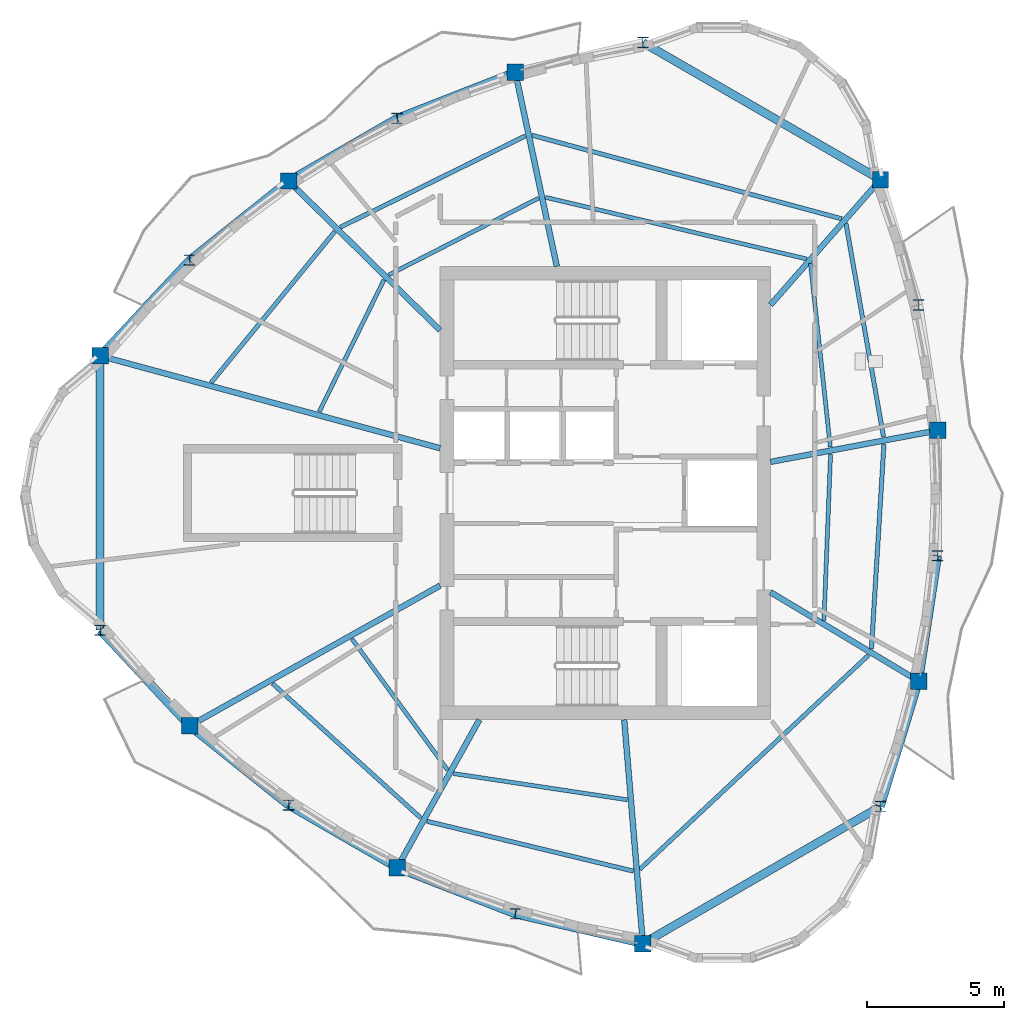
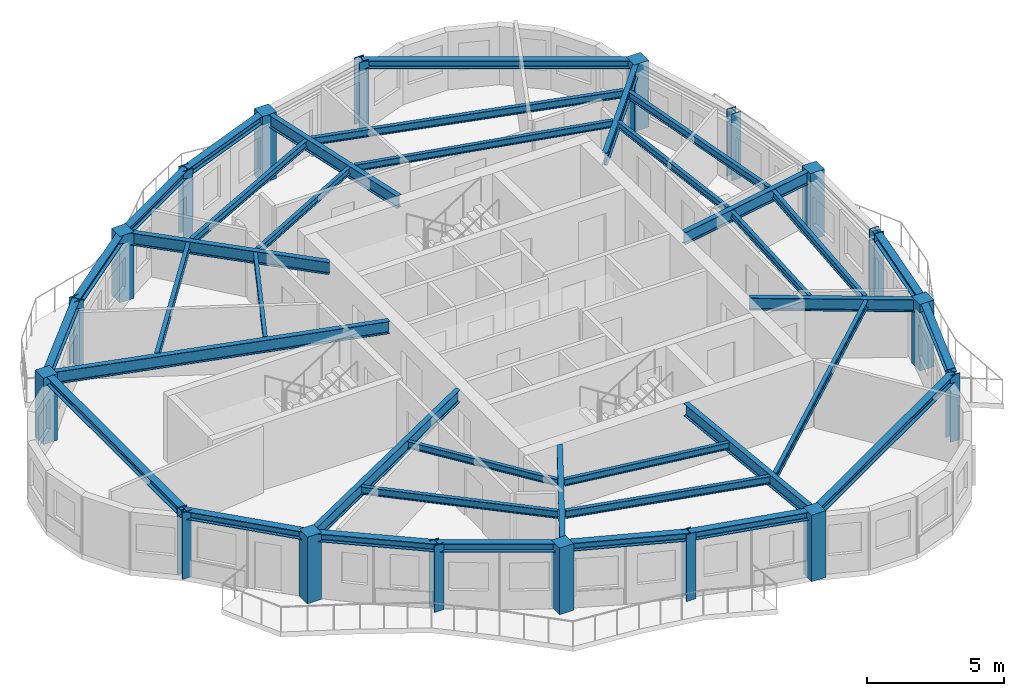
# One storey, part 1 of 11: 38 beams, 18 columns.
"""IFC4 building model written with IfcOpenShell, lengths in metres."""

from ifc_helpers import new_model, si_unit, direction, frame, origin, origin_2d, place, context, subcontext, project, spatial, rectangle, i_section, extrude, source, transform, mapped, material, material_profile, profile_set, type_object, element, save


model = new_model("IFC4")

# Units and contexts
model_context = context("Model", 3, precision=1e-05, world=origin(), true_north=direction((0.0, 1.0)))
body_context = subcontext(model_context, "Body", "Model", "MODEL_VIEW")
ifc_project = project(units=[si_unit("LENGTHUNIT", "METRE"), si_unit("AREAUNIT", "SQUARE_METRE"), si_unit("VOLUMEUNIT", "CUBIC_METRE"), si_unit("PLANEANGLEUNIT", "RADIAN"), si_unit("MASSUNIT", "GRAM", prefix="KILO")], contexts=[model_context])

# Site, building, storey
site_placement = place(None, origin())
site = spatial("IfcSite", under=ifc_project, at=site_placement, CompositionType="ELEMENT")
building_placement = place(site_placement, origin())
building = spatial("IfcBuilding", under=site, at=building_placement, Name="Qafzar Sky-Pleat Residences", CompositionType="ELEMENT")
storey_placement = place(building_placement, frame((0.0, 0.0, 218.0)))
storey = spatial("IfcBuildingStorey", under=building, at=storey_placement, Name="L65", CompositionType="ELEMENT", Elevation=218.0)

# Columns
ifc_material_1 = material(Name="Concrete C50/60", Category="concrete")
ifc_material_profile_1 = material_profile(ifc_material_1, rectangle(XDim=0.60009765625, YDim=0.60009765625, at=origin_2d()), Name="RC 600x600")
ifc_profile_set_1 = profile_set([ifc_material_profile_1], Name="Concrete C50/60")
column_type_1 = type_object("IfcColumnType", Name="COL-RC-600", PredefinedType="COLUMN", material=ifc_profile_set_1)
shared_shape_1 = source(origin(), body_context, "Body", "SweptSolid", [
    extrude(rectangle(XDim=0.60009765625, YDim=0.60009765625, at=origin_2d()), origin(), (0.0, 0.0, 1.0), 2.9599609375),
])
for number, where, z_axis, x_axis, name in (
    (1, (11.85009765625, 31.02294921875, 0.0), (0.0, 0.0, 1.0), (1.0, 0.0, 0.0), "L65 Perimeter Mega Column 1"),
    (2, (15.127197265625, 17.4736328125, 0.0), (0.0, 0.0, 1.0), (1.0, 0.0, 0.0), "L65 Perimeter Mega Column 3"),
    (3, (22.728515625, 12.279541015625, 0.0), (0.0, 0.0, 1.0), (1.0, 0.0, 0.0), "L65 Perimeter Mega Column 5"),
    (4, (31.72509765625, 9.502197265625, 0.0), (0.0, 0.0, 1.0), (1.0, 0.0, 0.0), "L65 Perimeter Mega Column 7"),
    (5, (41.8203125, 19.114990234375, 0.0), (0.0, 0.0, 1.0), (1.0, 0.0, 0.0), "L65 Perimeter Mega Column 9"),
    (6, (42.51806640625, 28.294921875, 0.0), (0.0, 0.0, 1.0), (1.0, 0.0, 0.0), "L65 Perimeter Mega Column 11"),
    (7, (40.425048828125, 37.474853515625, 0.0), (0.0, 0.0, 1.0), (1.0, 0.0, 0.0), "L65 Perimeter Mega Column 13"),
    (8, (27.05224609375, 41.4111328125, 0.0), (0.0, 0.0, 1.0), (1.0, 0.0, 0.0), "L65 Perimeter Mega Column 15"),
    (9, (18.75341796875, 37.425537109375, 0.0), (0.0, 0.0, 1.0), (1.0, 0.0, 0.0), "L65 Perimeter Mega Column 17"),
):
    element("IfcColumn", number, at=place(storey_placement, frame(where, z_axis=z_axis, x_axis=x_axis)), inside=storey, type_object=column_type_1, Name=name, PredefinedType="COLUMN", context=body_context, shape_type="MappedRepresentation", body=[
        mapped(shared_shape_1, transform((0.0, 0.0, 0.0), x_axis=(1.0, 0.0, 0.0), y_axis=(0.0, 1.0, 0.0), z_axis=(0.0, 0.0, 1.0), scale=1.0)),
    ])
ifc_material_2 = material(Name="Steel S355", Category="steel")
ifc_material_profile_2 = material_profile(ifc_material_2, i_section(OverallWidth=0.39794921875, OverallDepth=0.386962890625, WebThickness=0.01904296875, FlangeThickness=0.030029296875, FilletRadius=0.014892578125, at=origin_2d()), Name="HD 400x262")
ifc_profile_set_2 = profile_set([ifc_material_profile_2], Name="Steel S355")
column_type_2 = type_object("IfcColumnType", Name="COL-STL-HD262", PredefinedType="PILASTER", material=ifc_profile_set_2)
shared_shape_2 = source(origin(), body_context, "Body", "SweptSolid", [
    extrude(i_section(OverallWidth=0.39794921875, OverallDepth=0.386962890625, WebThickness=0.01904296875, FlangeThickness=0.030029296875, FilletRadius=0.014892578125, at=origin_2d()), origin(), (0.0, 0.0, 1.0), 2.9599609375),
])
for number, where, z_axis, x_axis, name in (
    (10, (11.85009765625, 20.97705078125, 0.0), (0.0, 0.0, 1.0), (1.0, 0.0, 0.0), "L65 Perimeter Mega Column 2"),
    (11, (18.75341796875, 14.574462890625, 0.0), (0.0, 0.0, 1.0), (1.0, 0.0, 0.0), "L65 Perimeter Mega Column 4"),
    (12, (27.05224609375, 10.5888671875, 0.0), (0.0, 0.0, 1.0), (1.0, 0.0, 0.0), "L65 Perimeter Mega Column 6"),
    (13, (40.425048828125, 14.525146484375, 0.0), (0.0, 0.0, 1.0), (1.0, 0.0, 0.0), "L65 Perimeter Mega Column 8"),
    (14, (42.51806640625, 23.705078125, 0.0), (0.0, 0.0, 1.0), (1.0, 0.0, 0.0), "L65 Perimeter Mega Column 10"),
    (15, (41.8203125, 32.885009765625, 0.0), (0.0, 0.0, 1.0), (1.0, 0.0, 0.0), "L65 Perimeter Mega Column 12"),
    (16, (31.72509765625, 42.497802734375, 0.0), (0.0, 0.0, 1.0), (1.0, 0.0, 0.0), "L65 Perimeter Mega Column 14"),
    (17, (22.728515625, 39.720458984375, 0.0), (0.0, 0.0, 1.0), (1.0, 0.0, 0.0), "L65 Perimeter Mega Column 16"),
    (18, (15.127197265625, 34.5263671875, 0.0), (0.0, 0.0, 1.0), (1.0, 0.0, 0.0), "L65 Perimeter Mega Column 18"),
):
    element("IfcColumn", number, at=place(storey_placement, frame(where, z_axis=z_axis, x_axis=x_axis)), inside=storey, type_object=column_type_2, Name=name, PredefinedType="PILASTER", context=body_context, shape_type="MappedRepresentation", body=[
        mapped(shared_shape_2, transform((0.0, 0.0, 0.0), x_axis=(1.0, 0.0, 0.0), y_axis=(0.0, 1.0, 0.0), z_axis=(0.0, 0.0, 1.0), scale=1.0)),
    ])

# Beams
ifc_material_profile_3 = material_profile(ifc_material_2, i_section(OverallWidth=0.300048828125, OverallDepth=0.360107421875, WebThickness=0.012451171875, FlangeThickness=0.0224609375, FilletRadius=0.027099609375, at=origin_2d()), Name="HEB 360")
ifc_profile_set_3 = profile_set([ifc_material_profile_3], Name="Steel S355")
beam_type_1 = type_object("IfcBeamType", Name="BM-SPAN-HEB360", PredefinedType="SPANDREL", material=ifc_profile_set_3)
shared_shape_3 = source(origin(), body_context, "Body", "SweptSolid", [
    extrude(i_section(OverallWidth=0.300048828125, OverallDepth=0.360107421875, WebThickness=0.012451171875, FlangeThickness=0.0224609375, FilletRadius=0.027099609375, at=origin_2d()), origin(), (0.0, 0.0, 1.0), 10.0458984375),
])
for number, where, z_axis, x_axis, name in (
    (19, (11.85009765625, 31.02294921875, 2.778076171875), (0.0, -1.0, 0.0), (1.0, 0.0, 0.0), "L65 Perimeter Spandrel Beam 1"),
    (20, (31.72509765625, 9.502197265625, 2.778076171875), (0.866024107753, 0.500002244785, 0.0), (-0.500002244785, 0.866024107753, 0.0), "L65 Perimeter Spandrel Beam 7"),
    (21, (40.425048828125, 37.474853515625, 2.778076171875), (-0.866024107753, 0.500002244785, 0.0), (-0.500002244785, -0.866024107753, 0.0), "L65 Perimeter Spandrel Beam 13"),
):
    element("IfcBeam", number, at=place(storey_placement, frame(where, z_axis=z_axis, x_axis=x_axis)), inside=storey, type_object=beam_type_1, Name=name, PredefinedType="SPANDREL", context=body_context, shape_type="MappedRepresentation", body=[
        mapped(shared_shape_3, transform((0.0, 0.0, 0.0), x_axis=(1.0, 0.0, 0.0), y_axis=(0.0, 1.0, 0.0), z_axis=(0.0, 0.0, 1.0), scale=1.0)),
    ])
shared_shape_4 = source(origin(), body_context, "Body", "SweptSolid", [
    extrude(i_section(OverallWidth=0.300048828125, OverallDepth=0.360107421875, WebThickness=0.012451171875, FlangeThickness=0.0224609375, FilletRadius=0.027099609375, at=origin_2d()), origin(), (0.0, 0.0, 1.0), 4.797119140625),
])
for number, where, z_axis, x_axis, name in (
    (22, (11.85009765625, 20.97705078125, 2.778076171875), (0.683124734516, -0.730301716479, 0.0), (0.730301716479, 0.683124734516, 0.0), "L65 Perimeter Spandrel Beam 2"),
    (23, (40.425048828125, 14.525146484375, 2.778076171875), (0.290847707489, 0.95676936147, 0.0), (-0.95676936147, 0.290847707489, 0.0), "L65 Perimeter Spandrel Beam 8"),
    (24, (15.127197265625, 34.5263671875, 2.778076171875), (-0.683124734516, -0.730301716479, 0.0), (0.730301716479, -0.683124734516, 0.0), "L65 Perimeter Spandrel Beam 18"),
):
    element("IfcBeam", number, at=place(storey_placement, frame(where, z_axis=z_axis, x_axis=x_axis)), inside=storey, type_object=beam_type_1, Name=name, PredefinedType="SPANDREL", context=body_context, shape_type="MappedRepresentation", body=[
        mapped(shared_shape_4, transform((0.0, 0.0, 0.0), x_axis=(1.0, 0.0, 0.0), y_axis=(0.0, 1.0, 0.0), z_axis=(0.0, 0.0, 1.0), scale=1.0)),
    ])
shared_shape_5 = source(origin(), body_context, "Body", "SweptSolid", [
    extrude(i_section(OverallWidth=0.300048828125, OverallDepth=0.360107421875, WebThickness=0.012451171875, FlangeThickness=0.0224609375, FilletRadius=0.027099609375, at=origin_2d()), origin(), (0.0, 0.0, 1.0), 4.642578125),
])
for number, where, z_axis, x_axis, name in (
    (25, (15.127197265625, 17.4736328125, 2.778076171875), (0.78105859572, -0.624457740805, 0.0), (0.624457740805, 0.78105859572, 0.0), "L65 Perimeter Spandrel Beam 3"),
    (26, (22.728515625, 12.279541015625, 2.778076171875), (0.931331978825, -0.364171313008, 0.0), (0.364171313008, 0.931331978825, 0.0), "L65 Perimeter Spandrel Beam 5"),
    (27, (27.05224609375, 41.4111328125, 2.778076171875), (-0.931331978825, -0.364171313008, 0.0), (0.364171313008, -0.931331978825, 0.0), "L65 Perimeter Spandrel Beam 15"),
    (28, (18.75341796875, 37.425537109375, 2.778076171875), (-0.78105859572, -0.624457740805, 0.0), (0.624457740805, -0.78105859572, 0.0), "L65 Perimeter Spandrel Beam 17"),
):
    element("IfcBeam", number, at=place(storey_placement, frame(where, z_axis=z_axis, x_axis=x_axis)), inside=storey, type_object=beam_type_1, Name=name, PredefinedType="SPANDREL", context=body_context, shape_type="MappedRepresentation", body=[
        mapped(shared_shape_5, transform((0.0, 0.0, 0.0), x_axis=(1.0, 0.0, 0.0), y_axis=(0.0, 1.0, 0.0), z_axis=(0.0, 0.0, 1.0), scale=1.0)),
    ])
shared_shape_6 = source(origin(), body_context, "Body", "SweptSolid", [
    extrude(i_section(OverallWidth=0.300048828125, OverallDepth=0.360107421875, WebThickness=0.012451171875, FlangeThickness=0.0224609375, FilletRadius=0.027099609375, at=origin_2d()), origin(), (0.0, 0.0, 1.0), 4.590087890625),
])
for number, where, z_axis, x_axis, name in (
    (29, (18.75341796875, 14.574462890625, 2.778076171875), (0.866035009806, -0.499983361514, 0.0), (0.499983361514, 0.866035009806, 0.0), "L65 Perimeter Spandrel Beam 4"),
    (30, (22.728515625, 39.720458984375, 2.778076171875), (-0.866035009806, -0.499983361514, 0.0), (0.499983361514, -0.866035009806, 0.0), "L65 Perimeter Spandrel Beam 16"),
):
    element("IfcBeam", number, at=place(storey_placement, frame(where, z_axis=z_axis, x_axis=x_axis)), inside=storey, type_object=beam_type_1, Name=name, PredefinedType="SPANDREL", context=body_context, shape_type="MappedRepresentation", body=[
        mapped(shared_shape_6, transform((0.0, 0.0, 0.0), x_axis=(1.0, 0.0, 0.0), y_axis=(0.0, 1.0, 0.0), z_axis=(0.0, 0.0, 1.0), scale=1.0)),
    ])
shared_shape_7 = source(origin(), body_context, "Body", "SweptSolid", [
    extrude(i_section(OverallWidth=0.300048828125, OverallDepth=0.360107421875, WebThickness=0.012451171875, FlangeThickness=0.0224609375, FilletRadius=0.027099609375, at=origin_2d()), origin(), (0.0, 0.0, 1.0), 4.797607421875),
])
beam_1_placement = place(storey_placement, frame((27.05224609375, 10.5888671875, 2.778076171875), z_axis=(0.974009854719, -0.226505635494, 0.0), x_axis=(0.226505635494, 0.974009854719, 0.0)))
element("IfcBeam", 31, at=beam_1_placement, inside=storey, type_object=beam_type_1, Name="L65 Perimeter Spandrel Beam 6", PredefinedType="SPANDREL", context=body_context, shape_type="MappedRepresentation", body=[
    mapped(shared_shape_7, transform((0.0, 0.0, 0.0), x_axis=(1.0, 0.0, 0.0), y_axis=(0.0, 1.0, 0.0), z_axis=(0.0, 0.0, 1.0), scale=1.0)),
])
shared_shape_8 = source(origin(), body_context, "Body", "SweptSolid", [
    extrude(i_section(OverallWidth=0.300048828125, OverallDepth=0.360107421875, WebThickness=0.012451171875, FlangeThickness=0.0224609375, FilletRadius=0.027099609375, at=origin_2d()), origin(), (0.0, 0.0, 1.0), 4.642822265625),
])
beam_2_placement = place(storey_placement, frame((41.8203125, 19.114990234375, 2.778076171875), z_axis=(0.150286694564, 0.988642457837, 0.0), x_axis=(-0.988642457837, 0.150286694564, 0.0)))
element("IfcBeam", 32, at=beam_2_placement, inside=storey, type_object=beam_type_1, Name="L65 Perimeter Spandrel Beam 9", PredefinedType="SPANDREL", context=body_context, shape_type="MappedRepresentation", body=[
    mapped(shared_shape_8, transform((0.0, 0.0, 0.0), x_axis=(1.0, 0.0, 0.0), y_axis=(0.0, 1.0, 0.0), z_axis=(0.0, 0.0, 1.0), scale=1.0)),
])
ifc_material_profile_4 = material_profile(ifc_material_2, i_section(OverallWidth=0.2099609375, OverallDepth=0.550048828125, WebThickness=0.010986328125, FlangeThickness=0.01708984375, FilletRadius=0.02392578125, at=origin_2d()), Name="IPE 550")
ifc_profile_set_4 = profile_set([ifc_material_profile_4], Name="Steel S355")
beam_type_2 = type_object("IfcBeamType", Name="BM-SEC-IPE550", PredefinedType="BEAM", material=ifc_profile_set_4)
shared_shape_9 = source(origin(), body_context, "Body", "SweptSolid", [
    extrude(i_section(OverallWidth=0.2099609375, OverallDepth=0.550048828125, WebThickness=0.010986328125, FlangeThickness=0.01708984375, FilletRadius=0.02392578125, at=origin_2d()), origin(), (0.0, 0.0, 1.0), 12.900634765625),
])
beam_3_placement = place(storey_placement, frame((11.85009765625, 31.02294921875, 2.68310546875), z_axis=(0.965059742401, -0.262029947902, 0.0), x_axis=(0.262029947902, 0.965059742401, 0.0)))
element("IfcBeam", 33, at=beam_3_placement, inside=storey, type_object=beam_type_2, Name="L65 Radial Floor Girder 1", PredefinedType="BEAM", context=body_context, shape_type="MappedRepresentation", body=[
    mapped(shared_shape_9, transform((0.0, 0.0, 0.0), x_axis=(1.0, 0.0, 0.0), y_axis=(0.0, 1.0, 0.0), z_axis=(0.0, 0.0, 1.0), scale=1.0)),
])
shared_shape_10 = source(origin(), body_context, "Body", "SweptSolid", [
    extrude(i_section(OverallWidth=0.2099609375, OverallDepth=0.550048828125, WebThickness=0.010986328125, FlangeThickness=0.01708984375, FilletRadius=0.02392578125, at=origin_2d()), origin(), (0.0, 0.0, 1.0), 10.513671875),
])
beam_4_placement = place(storey_placement, frame((15.127197265625, 17.4736328125, 2.68310546875), z_axis=(0.872469583565, 0.488668421073, 0.0), x_axis=(-0.488668421073, 0.872469583565, 0.0)))
element("IfcBeam", 34, at=beam_4_placement, inside=storey, type_object=beam_type_2, Name="L65 Radial Floor Girder 3", PredefinedType="BEAM", context=body_context, shape_type="MappedRepresentation", body=[
    mapped(shared_shape_10, transform((0.0, 0.0, 0.0), x_axis=(1.0, 0.0, 0.0), y_axis=(0.0, 1.0, 0.0), z_axis=(0.0, 0.0, 1.0), scale=1.0)),
])
shared_shape_11 = source(origin(), body_context, "Body", "SweptSolid", [
    extrude(i_section(OverallWidth=0.2099609375, OverallDepth=0.550048828125, WebThickness=0.010986328125, FlangeThickness=0.01708984375, FilletRadius=0.02392578125, at=origin_2d()), origin(), (0.0, 0.0, 1.0), 6.200439453125),
])
beam_5_placement = place(storey_placement, frame((22.728515625, 12.279541015625, 2.68310546875), z_axis=(0.485599470604, 0.874181419472, 0.0), x_axis=(-0.874181419472, 0.485599470604, 0.0)))
element("IfcBeam", 35, at=beam_5_placement, inside=storey, type_object=beam_type_2, Name="L65 Radial Floor Girder 5", PredefinedType="BEAM", context=body_context, shape_type="MappedRepresentation", body=[
    mapped(shared_shape_11, transform((0.0, 0.0, 0.0), x_axis=(1.0, 0.0, 0.0), y_axis=(0.0, 1.0, 0.0), z_axis=(0.0, 0.0, 1.0), scale=1.0)),
])
shared_shape_12 = source(origin(), body_context, "Body", "SweptSolid", [
    extrude(i_section(OverallWidth=0.2099609375, OverallDepth=0.550048828125, WebThickness=0.010986328125, FlangeThickness=0.01708984375, FilletRadius=0.02392578125, at=origin_2d()), origin(), (0.0, 0.0, 1.0), 8.22607421875),
])
beam_6_placement = place(storey_placement, frame((31.72509765625, 9.502197265625, 2.68310546875), z_axis=(-0.083070041322, 0.996543711151, 0.0), x_axis=(-0.996543711151, -0.083070041322, 0.0)))
element("IfcBeam", 36, at=beam_6_placement, inside=storey, type_object=beam_type_2, Name="L65 Radial Floor Girder 7", PredefinedType="BEAM", context=body_context, shape_type="MappedRepresentation", body=[
    mapped(shared_shape_12, transform((0.0, 0.0, 0.0), x_axis=(1.0, 0.0, 0.0), y_axis=(0.0, 1.0, 0.0), z_axis=(0.0, 0.0, 1.0), scale=1.0)),
])
shared_shape_13 = source(origin(), body_context, "Body", "SweptSolid", [
    extrude(i_section(OverallWidth=0.2099609375, OverallDepth=0.550048828125, WebThickness=0.010986328125, FlangeThickness=0.01708984375, FilletRadius=0.02392578125, at=origin_2d()), origin(), (0.0, 0.0, 1.0), 6.322021484375),
])
beam_7_placement = place(storey_placement, frame((41.8203125, 19.114990234375, 2.68310546875), z_axis=(-0.857394093566, 0.514660439823, 0.0), x_axis=(-0.514660439823, -0.857394093566, 0.0)))
element("IfcBeam", 37, at=beam_7_placement, inside=storey, type_object=beam_type_2, Name="L65 Radial Floor Girder 9", PredefinedType="BEAM", context=body_context, shape_type="MappedRepresentation", body=[
    mapped(shared_shape_13, transform((0.0, 0.0, 0.0), x_axis=(1.0, 0.0, 0.0), y_axis=(0.0, 1.0, 0.0), z_axis=(0.0, 0.0, 1.0), scale=1.0)),
])
shared_shape_14 = source(origin(), body_context, "Body", "SweptSolid", [
    extrude(i_section(OverallWidth=0.2099609375, OverallDepth=0.550048828125, WebThickness=0.010986328125, FlangeThickness=0.01708984375, FilletRadius=0.02392578125, at=origin_2d()), origin(), (0.0, 0.0, 1.0), 6.22607421875),
])
beam_8_placement = place(storey_placement, frame((42.51806640625, 28.294921875, 2.68310546875), z_axis=(-0.982678095354, -0.185320697472, 0.0), x_axis=(0.185320697472, -0.982678095354, 0.0)))
element("IfcBeam", 38, at=beam_8_placement, inside=storey, type_object=beam_type_2, Name="L65 Radial Floor Girder 11", PredefinedType="BEAM", context=body_context, shape_type="MappedRepresentation", body=[
    mapped(shared_shape_14, transform((0.0, 0.0, 0.0), x_axis=(1.0, 0.0, 0.0), y_axis=(0.0, 1.0, 0.0), z_axis=(0.0, 0.0, 1.0), scale=1.0)),
])
shared_shape_15 = source(origin(), body_context, "Body", "SweptSolid", [
    extrude(i_section(OverallWidth=0.2099609375, OverallDepth=0.550048828125, WebThickness=0.010986328125, FlangeThickness=0.01708984375, FilletRadius=0.02392578125, at=origin_2d()), origin(), (0.0, 0.0, 1.0), 6.1005859375),
])
beam_9_placement = place(storey_placement, frame((40.425048828125, 37.474853515625, 2.68310546875), z_axis=(-0.65979841743, -0.751442644755, 0.0), x_axis=(0.751442644755, -0.65979841743, 0.0)))
element("IfcBeam", 39, at=beam_9_placement, inside=storey, type_object=beam_type_2, Name="L65 Radial Floor Girder 13", PredefinedType="BEAM", context=body_context, shape_type="MappedRepresentation", body=[
    mapped(shared_shape_15, transform((0.0, 0.0, 0.0), x_axis=(1.0, 0.0, 0.0), y_axis=(0.0, 1.0, 0.0), z_axis=(0.0, 0.0, 1.0), scale=1.0)),
])
shared_shape_16 = source(origin(), body_context, "Body", "SweptSolid", [
    extrude(i_section(OverallWidth=0.2099609375, OverallDepth=0.550048828125, WebThickness=0.010986328125, FlangeThickness=0.01708984375, FilletRadius=0.02392578125, at=origin_2d()), origin(), (0.0, 0.0, 1.0), 7.27197265625),
])
beam_10_placement = place(storey_placement, frame((27.05224609375, 41.4111328125, 2.68310546875), z_axis=(0.209256244096, -0.977860840972, 0.0), x_axis=(0.977860840972, 0.209256244096, 0.0)))
element("IfcBeam", 40, at=beam_10_placement, inside=storey, type_object=beam_type_2, Name="L65 Radial Floor Girder 15", PredefinedType="BEAM", context=body_context, shape_type="MappedRepresentation", body=[
    mapped(shared_shape_16, transform((0.0, 0.0, 0.0), x_axis=(1.0, 0.0, 0.0), y_axis=(0.0, 1.0, 0.0), z_axis=(0.0, 0.0, 1.0), scale=1.0)),
])
shared_shape_17 = source(origin(), body_context, "Body", "SweptSolid", [
    extrude(i_section(OverallWidth=0.2099609375, OverallDepth=0.550048828125, WebThickness=0.010986328125, FlangeThickness=0.01708984375, FilletRadius=0.02392578125, at=origin_2d()), origin(), (0.0, 0.0, 1.0), 7.78662109375),
])
beam_11_placement = place(storey_placement, frame((18.75341796875, 37.425537109375, 2.68310546875), z_axis=(0.712339128593, -0.70183542649, 0.0), x_axis=(0.70183542649, 0.712339128593, 0.0)))
element("IfcBeam", 41, at=beam_11_placement, inside=storey, type_object=beam_type_2, Name="L65 Radial Floor Girder 17", PredefinedType="BEAM", context=body_context, shape_type="MappedRepresentation", body=[
    mapped(shared_shape_17, transform((0.0, 0.0, 0.0), x_axis=(1.0, 0.0, 0.0), y_axis=(0.0, 1.0, 0.0), z_axis=(0.0, 0.0, 1.0), scale=1.0)),
])
ifc_material_profile_5 = material_profile(ifc_material_2, i_section(OverallWidth=0.159912109375, OverallDepth=0.330078125, WebThickness=0.007568359375, FlangeThickness=0.011474609375, FilletRadius=0.01806640625, at=origin_2d()), Name="IPE 330")
ifc_profile_set_5 = profile_set([ifc_material_profile_5], Name="Steel S355")
beam_type_3 = type_object("IfcBeamType", Name="BM-JST-IPE330", PredefinedType="JOIST", material=ifc_profile_set_5)
shared_shape_18 = source(origin(), body_context, "Body", "SweptSolid", [
    extrude(i_section(OverallWidth=0.159912109375, OverallDepth=0.330078125, WebThickness=0.007568359375, FlangeThickness=0.011474609375, FilletRadius=0.01806640625, at=origin_2d()), origin(), (0.0, 0.0, 1.0), 7.32861328125),
])
beam_12_placement = place(storey_placement, frame((18.16259765625, 19.027099609375, 2.79296875), z_axis=(0.740855880946, -0.671664025884, 0.0), x_axis=(0.671664025884, 0.740855880946, 0.0)))
element("IfcBeam", 42, at=beam_12_placement, inside=storey, type_object=beam_type_3, Name="L65 Outer Secondary Floor Joist 2", PredefinedType="JOIST", context=body_context, shape_type="MappedRepresentation", body=[
    mapped(shared_shape_18, transform((0.0, 0.0, 0.0), x_axis=(1.0, 0.0, 0.0), y_axis=(0.0, 1.0, 0.0), z_axis=(0.0, 0.0, 1.0), scale=1.0)),
])
shared_shape_19 = source(origin(), body_context, "Body", "SweptSolid", [
    extrude(i_section(OverallWidth=0.159912109375, OverallDepth=0.330078125, WebThickness=0.007568359375, FlangeThickness=0.011474609375, FilletRadius=0.01806640625, at=origin_2d()), origin(), (0.0, 0.0, 1.0), 7.76953125),
])
beam_13_placement = place(storey_placement, frame((23.8232421875, 13.982421875, 2.79296875), z_axis=(0.972014696712, -0.2349200489, 0.0), x_axis=(0.2349200489, 0.972014696712, 0.0)))
element("IfcBeam", 43, at=beam_13_placement, inside=storey, type_object=beam_type_3, Name="L65 Outer Secondary Floor Joist 3", PredefinedType="JOIST", context=body_context, shape_type="MappedRepresentation", body=[
    mapped(shared_shape_19, transform((0.0, 0.0, 0.0), x_axis=(1.0, 0.0, 0.0), y_axis=(0.0, 1.0, 0.0), z_axis=(0.0, 0.0, 1.0), scale=1.0)),
])
shared_shape_20 = source(origin(), body_context, "Body", "SweptSolid", [
    extrude(i_section(OverallWidth=0.159912109375, OverallDepth=0.330078125, WebThickness=0.007568359375, FlangeThickness=0.011474609375, FilletRadius=0.01806640625, at=origin_2d()), origin(), (0.0, 0.0, 1.0), 11.4814453125),
])
beam_14_placement = place(storey_placement, frame((31.60498046875, 12.2177734375, 2.79296875), z_axis=(0.730068797802, 0.683373653631, 0.0), x_axis=(-0.683373653631, 0.730068797802, 0.0)))
element("IfcBeam", 44, at=beam_14_placement, inside=storey, type_object=beam_type_3, Name="L65 Outer Secondary Floor Joist 4", PredefinedType="JOIST", context=body_context, shape_type="MappedRepresentation", body=[
    mapped(shared_shape_20, transform((0.0, 0.0, 0.0), x_axis=(1.0, 0.0, 0.0), y_axis=(0.0, 1.0, 0.0), z_axis=(0.0, 0.0, 1.0), scale=1.0)),
])
shared_shape_21 = source(origin(), body_context, "Body", "SweptSolid", [
    extrude(i_section(OverallWidth=0.159912109375, OverallDepth=0.330078125, WebThickness=0.007568359375, FlangeThickness=0.011474609375, FilletRadius=0.01806640625, at=origin_2d()), origin(), (0.0, 0.0, 1.0), 7.513916015625),
])
beam_15_placement = place(storey_placement, frame((40.093994140625, 20.291015625, 2.79296875), z_axis=(0.060954156998, 0.998140566626, 0.0), x_axis=(-0.998140566626, 0.060954156998, 0.0)))
element("IfcBeam", 45, at=beam_15_placement, inside=storey, type_object=beam_type_3, Name="L65 Outer Secondary Floor Joist 5", PredefinedType="JOIST", context=body_context, shape_type="MappedRepresentation", body=[
    mapped(shared_shape_21, transform((0.0, 0.0, 0.0), x_axis=(1.0, 0.0, 0.0), y_axis=(0.0, 1.0, 0.0), z_axis=(0.0, 0.0, 1.0), scale=1.0)),
])
shared_shape_22 = source(origin(), body_context, "Body", "SweptSolid", [
    extrude(i_section(OverallWidth=0.159912109375, OverallDepth=0.330078125, WebThickness=0.007568359375, FlangeThickness=0.011474609375, FilletRadius=0.01806640625, at=origin_2d()), origin(), (0.0, 0.0, 1.0), 7.936767578125),
])
beam_16_placement = place(storey_placement, frame((40.536865234375, 28.05859375, 2.79296875), z_axis=(-0.173430847903, 0.984846049388, 0.0), x_axis=(-0.984846049388, -0.173430847903, 0.0)))
element("IfcBeam", 46, at=beam_16_placement, inside=storey, type_object=beam_type_3, Name="L65 Outer Secondary Floor Joist 6", PredefinedType="JOIST", context=body_context, shape_type="MappedRepresentation", body=[
    mapped(shared_shape_22, transform((0.0, 0.0, 0.0), x_axis=(1.0, 0.0, 0.0), y_axis=(0.0, 1.0, 0.0), z_axis=(0.0, 0.0, 1.0), scale=1.0)),
])
shared_shape_23 = source(origin(), body_context, "Body", "SweptSolid", [
    extrude(i_section(OverallWidth=0.159912109375, OverallDepth=0.330078125, WebThickness=0.007568359375, FlangeThickness=0.011474609375, FilletRadius=0.01806640625, at=origin_2d()), origin(), (0.0, 0.0, 1.0), 11.741943359375),
])
beam_17_placement = place(storey_placement, frame((39.006591796875, 36.04296875, 2.79296875), z_axis=(-0.96550083471, 0.260399958091, 0.0), x_axis=(-0.260399958091, -0.96550083471, 0.0)))
element("IfcBeam", 47, at=beam_17_placement, inside=storey, type_object=beam_type_3, Name="L65 Outer Secondary Floor Joist 7", PredefinedType="JOIST", context=body_context, shape_type="MappedRepresentation", body=[
    mapped(shared_shape_23, transform((0.0, 0.0, 0.0), x_axis=(1.0, 0.0, 0.0), y_axis=(0.0, 1.0, 0.0), z_axis=(0.0, 0.0, 1.0), scale=1.0)),
])
shared_shape_24 = source(origin(), body_context, "Body", "SweptSolid", [
    extrude(i_section(OverallWidth=0.159912109375, OverallDepth=0.330078125, WebThickness=0.007568359375, FlangeThickness=0.011474609375, FilletRadius=0.01806640625, at=origin_2d()), origin(), (0.0, 0.0, 1.0), 7.547607421875),
])
beam_18_placement = place(storey_placement, frame((27.418212890625, 39.075927734375, 2.79296875), z_axis=(-0.896801606732, -0.442432908093, 0.0), x_axis=(0.442432908093, -0.896801606732, 0.0)))
element("IfcBeam", 48, at=beam_18_placement, inside=storey, type_object=beam_type_3, Name="L65 Outer Secondary Floor Joist 8", PredefinedType="JOIST", context=body_context, shape_type="MappedRepresentation", body=[
    mapped(shared_shape_24, transform((0.0, 0.0, 0.0), x_axis=(1.0, 0.0, 0.0), y_axis=(0.0, 1.0, 0.0), z_axis=(0.0, 0.0, 1.0), scale=1.0)),
])
shared_shape_25 = source(origin(), body_context, "Body", "SweptSolid", [
    extrude(i_section(OverallWidth=0.159912109375, OverallDepth=0.330078125, WebThickness=0.007568359375, FlangeThickness=0.011474609375, FilletRadius=0.01806640625, at=origin_2d()), origin(), (0.0, 0.0, 1.0), 7.141845703125),
])
beam_19_placement = place(storey_placement, frame((20.44287109375, 35.572265625, 2.79296875), z_axis=(-0.633377396406, -0.773843054968, 0.0), x_axis=(0.773843054968, -0.633377396406, 0.0)))
element("IfcBeam", 49, at=beam_19_placement, inside=storey, type_object=beam_type_3, Name="L65 Outer Secondary Floor Joist 9", PredefinedType="JOIST", context=body_context, shape_type="MappedRepresentation", body=[
    mapped(shared_shape_25, transform((0.0, 0.0, 0.0), x_axis=(1.0, 0.0, 0.0), y_axis=(0.0, 1.0, 0.0), z_axis=(0.0, 0.0, 1.0), scale=1.0)),
])
ifc_material_profile_6 = material_profile(ifc_material_2, i_section(OverallWidth=0.14990234375, OverallDepth=0.300048828125, WebThickness=0.007080078125, FlangeThickness=0.0107421875, FilletRadius=0.014892578125, at=origin_2d()), Name="IPE 300")
ifc_profile_set_6 = profile_set([ifc_material_profile_6], Name="Steel S355")
beam_type_4 = type_object("IfcBeamType", Name="BM-JST-IPE300", PredefinedType="JOIST", material=ifc_profile_set_6)
shared_shape_26 = source(origin(), body_context, "Body", "SweptSolid", [
    extrude(i_section(OverallWidth=0.14990234375, OverallDepth=0.300048828125, WebThickness=0.007080078125, FlangeThickness=0.0107421875, FilletRadius=0.014892578125, at=origin_2d()), origin(), (0.0, 0.0, 1.0), 5.935791015625),
])
beam_20_placement = place(storey_placement, frame((21.077392578125, 20.65283203125, 2.80810546875), z_axis=(0.589398706992, -0.807842289185, 0.0), x_axis=(0.807842289185, 0.589398706992, 0.0)))
element("IfcBeam", 50, at=beam_20_placement, inside=storey, type_object=beam_type_4, Name="L65 Inner Secondary Floor Joist 2", PredefinedType="JOIST", context=body_context, shape_type="MappedRepresentation", body=[
    mapped(shared_shape_26, transform((0.0, 0.0, 0.0), x_axis=(1.0, 0.0, 0.0), y_axis=(0.0, 1.0, 0.0), z_axis=(0.0, 0.0, 1.0), scale=1.0)),
])
shared_shape_27 = source(origin(), body_context, "Body", "SweptSolid", [
    extrude(i_section(OverallWidth=0.14990234375, OverallDepth=0.300048828125, WebThickness=0.007080078125, FlangeThickness=0.0107421875, FilletRadius=0.014892578125, at=origin_2d()), origin(), (0.0, 0.0, 1.0), 6.437255859375),
])
beam_21_placement = place(storey_placement, frame((24.7890625, 15.728515625, 2.80810546875), z_axis=(0.988823680029, -0.149089670382, 0.0), x_axis=(0.149089670382, 0.988823680029, 0.0)))
element("IfcBeam", 51, at=beam_21_placement, inside=storey, type_object=beam_type_4, Name="L65 Inner Secondary Floor Joist 3", PredefinedType="JOIST", context=body_context, shape_type="MappedRepresentation", body=[
    mapped(shared_shape_27, transform((0.0, 0.0, 0.0), x_axis=(1.0, 0.0, 0.0), y_axis=(0.0, 1.0, 0.0), z_axis=(0.0, 0.0, 1.0), scale=1.0)),
])
shared_shape_28 = source(origin(), body_context, "Body", "SweptSolid", [
    extrude(i_section(OverallWidth=0.14990234375, OverallDepth=0.300048828125, WebThickness=0.007080078125, FlangeThickness=0.0107421875, FilletRadius=0.014892578125, at=origin_2d()), origin(), (0.0, 0.0, 1.0), 6.093994140625),
])
beam_22_placement = place(storey_placement, frame((38.356689453125, 21.332275390625, 2.80810546875), z_axis=(0.039460861203, 0.999221116887, 0.0), x_axis=(-0.999221116887, 0.039460861203, 0.0)))
element("IfcBeam", 52, at=beam_22_placement, inside=storey, type_object=beam_type_4, Name="L65 Inner Secondary Floor Joist 5", PredefinedType="JOIST", context=body_context, shape_type="MappedRepresentation", body=[
    mapped(shared_shape_28, transform((0.0, 0.0, 0.0), x_axis=(1.0, 0.0, 0.0), y_axis=(0.0, 1.0, 0.0), z_axis=(0.0, 0.0, 1.0), scale=1.0)),
])
shared_shape_29 = source(origin(), body_context, "Body", "SweptSolid", [
    extrude(i_section(OverallWidth=0.14990234375, OverallDepth=0.300048828125, WebThickness=0.007080078125, FlangeThickness=0.0107421875, FilletRadius=0.014892578125, at=origin_2d()), origin(), (0.0, 0.0, 1.0), 6.755126953125),
])
beam_23_placement = place(storey_placement, frame((38.587890625, 27.690673828125, 2.80810546875), z_axis=(-0.10723369847, 0.994233842671, 0.0), x_axis=(-0.994233842671, -0.10723369847, 0.0)))
element("IfcBeam", 53, at=beam_23_placement, inside=storey, type_object=beam_type_4, Name="L65 Inner Secondary Floor Joist 6", PredefinedType="JOIST", context=body_context, shape_type="MappedRepresentation", body=[
    mapped(shared_shape_29, transform((0.0, 0.0, 0.0), x_axis=(1.0, 0.0, 0.0), y_axis=(0.0, 1.0, 0.0), z_axis=(0.0, 0.0, 1.0), scale=1.0)),
])
shared_shape_30 = source(origin(), body_context, "Body", "SweptSolid", [
    extrude(i_section(OverallWidth=0.14990234375, OverallDepth=0.300048828125, WebThickness=0.007080078125, FlangeThickness=0.0107421875, FilletRadius=0.014892578125, at=origin_2d()), origin(), (0.0, 0.0, 1.0), 9.82275390625),
])
beam_24_placement = place(storey_placement, frame((37.717529296875, 34.572021484375, 2.80810546875), z_axis=(-0.973241840634, 0.229783201386, 0.0), x_axis=(-0.229783201386, -0.973241840634, 0.0)))
element("IfcBeam", 54, at=beam_24_placement, inside=storey, type_object=beam_type_4, Name="L65 Inner Secondary Floor Joist 7", PredefinedType="JOIST", context=body_context, shape_type="MappedRepresentation", body=[
    mapped(shared_shape_30, transform((0.0, 0.0, 0.0), x_axis=(1.0, 0.0, 0.0), y_axis=(0.0, 1.0, 0.0), z_axis=(0.0, 0.0, 1.0), scale=1.0)),
])
shared_shape_31 = source(origin(), body_context, "Body", "SweptSolid", [
    extrude(i_section(OverallWidth=0.14990234375, OverallDepth=0.300048828125, WebThickness=0.007080078125, FlangeThickness=0.0107421875, FilletRadius=0.014892578125, at=origin_2d()), origin(), (0.0, 0.0, 1.0), 6.160400390625),
])
beam_25_placement = place(storey_placement, frame((27.906005859375, 36.798583984375, 2.80810546875), z_axis=(-0.889984920118, -0.455989958181, 0.0), x_axis=(0.455989958181, -0.889984920118, 0.0)))
element("IfcBeam", 55, at=beam_25_placement, inside=storey, type_object=beam_type_4, Name="L65 Inner Secondary Floor Joist 8", PredefinedType="JOIST", context=body_context, shape_type="MappedRepresentation", body=[
    mapped(shared_shape_31, transform((0.0, 0.0, 0.0), x_axis=(1.0, 0.0, 0.0), y_axis=(0.0, 1.0, 0.0), z_axis=(0.0, 0.0, 1.0), scale=1.0)),
])
shared_shape_32 = source(origin(), body_context, "Body", "SweptSolid", [
    extrude(i_section(OverallWidth=0.14990234375, OverallDepth=0.300048828125, WebThickness=0.007080078125, FlangeThickness=0.0107421875, FilletRadius=0.014892578125, at=origin_2d()), origin(), (0.0, 0.0, 1.0), 5.375244140625),
])
beam_26_placement = place(storey_placement, frame((22.243896484375, 33.806884765625, 2.80810546875), z_axis=(-0.440259895777, -0.897870382722, 0.0), x_axis=(0.897870382722, -0.440259895777, 0.0)))
element("IfcBeam", 56, at=beam_26_placement, inside=storey, type_object=beam_type_4, Name="L65 Inner Secondary Floor Joist 9", PredefinedType="JOIST", context=body_context, shape_type="MappedRepresentation", body=[
    mapped(shared_shape_32, transform((0.0, 0.0, 0.0), x_axis=(1.0, 0.0, 0.0), y_axis=(0.0, 1.0, 0.0), z_axis=(0.0, 0.0, 1.0), scale=1.0)),
])

save(model, "model.ifc")
